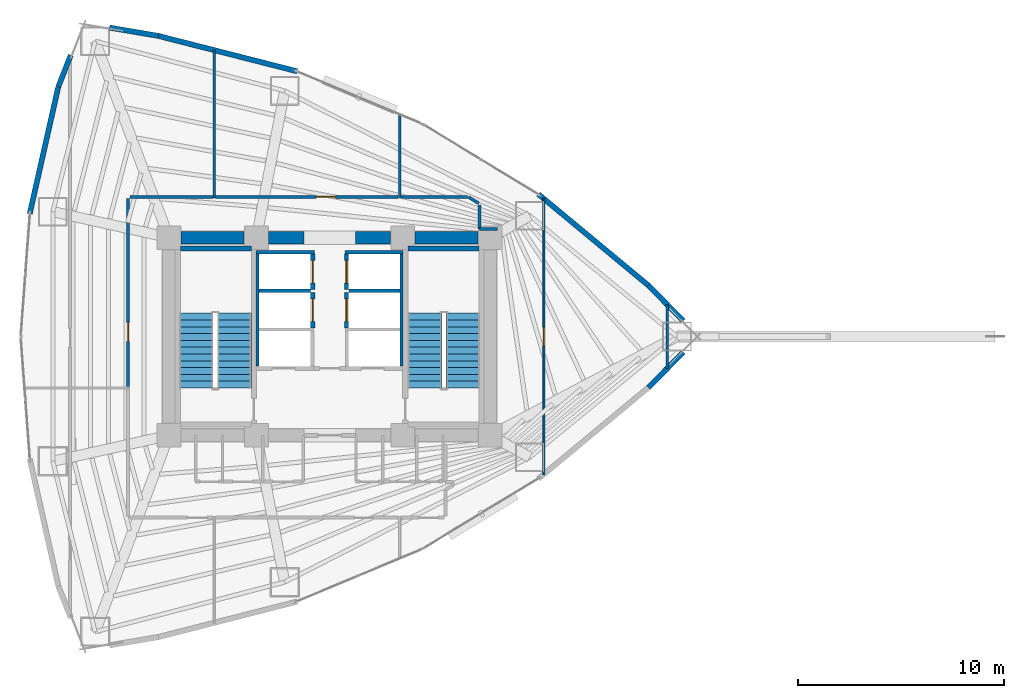
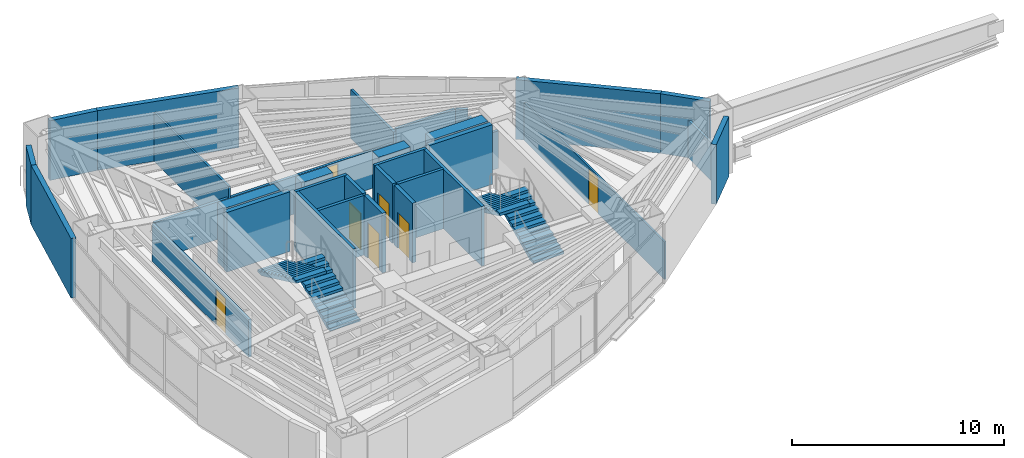
# One storey, part 15 of 18: 34 walls, 7 doors, 4 stair flights, 7 openings, 2 elements without a shape of their own.
"""IFC4 building model written with IfcOpenShell, lengths in metres."""

from ifc_helpers import new_model, si_unit, direction, frame, frame_2d, origin, place, context, subcontext, project, spatial, polyline, rectangle, outline, extrude, material, layer, layer_set, type_object, element, fill, aggregate, save


model = new_model("IFC4")

# Units and contexts
model_context = context("Model", 3, precision=1e-05, world=origin(), true_north=direction((0.0, 1.0)))
body_context = subcontext(model_context, "Body", "Model", "MODEL_VIEW")
ifc_project = project(units=[si_unit("LENGTHUNIT", "METRE"), si_unit("AREAUNIT", "SQUARE_METRE"), si_unit("VOLUMEUNIT", "CUBIC_METRE"), si_unit("PLANEANGLEUNIT", "RADIAN"), si_unit("MASSUNIT", "GRAM", prefix="KILO")], contexts=[model_context])

# Site, building, storey
site_placement = place(None, origin())
site = spatial("IfcSite", under=ifc_project, at=site_placement, CompositionType="ELEMENT")
building_placement = place(site_placement, origin())
building = spatial("IfcBuilding", under=site, at=building_placement, Name="Menara Vayukalpa", CompositionType="ELEMENT")
storey_placement = place(building_placement, frame((0.0, 0.0, 53.639892578125)))
storey = spatial("IfcBuildingStorey", under=building, at=storey_placement, Name="L12", CompositionType="ELEMENT", Elevation=53.639892578125)

# Walls
ifc_material_1 = material(Name="Concrete C70/85", Category="concrete")
ifc_layer_1 = layer(ifc_material_1, 0.60009765625)
ifc_layer_set_1 = layer_set([ifc_layer_1], Name="Concrete C70/85")
wall_type_1 = type_object("IfcWallType", Name="WAL-CW600", PredefinedType="SHEAR", material=ifc_layer_set_1)
wall_1_placement = place(storey_placement, frame((18.39501953125, 26.800048828125, 0.0), z_axis=(0.0, 0.0, 1.0), x_axis=(1.0, 0.0, 0.0)))
element("IfcWall", 1, at=wall_1_placement, inside=storey, type_object=wall_type_1, Name="L12 Buttressed Core Shear Wall CWN1", PredefinedType="SHEAR", context=body_context, shape_type="SweptSolid", body=[
    extrude(rectangle(XDim=3.06005859375, YDim=0.60009765625, at=frame_2d((1.530029296875, 0.0))), origin(), (0.0, 0.0, 1.0), 3.440185546875),
])
wall_2_placement = place(storey_placement, frame((22.64501953125, 26.800048828125, 0.0), z_axis=(0.0, 0.0, 1.0), x_axis=(1.0, 0.0, 0.0)))
element("IfcWall", 2, at=wall_2_placement, inside=storey, type_object=wall_type_1, Name="L12 Buttressed Core Shear Wall CWN2", PredefinedType="SHEAR", context=body_context, shape_type="SweptSolid", body=[
    extrude(rectangle(XDim=1.705078125, YDim=0.60009765625, at=frame_2d((0.8525390625, 0.0))), origin(), (0.0, 0.0, 1.0), 3.440185546875),
])
wall_3_placement = place(storey_placement, frame((26.85009765625, 26.800048828125, 0.0), z_axis=(0.0, 0.0, 1.0), x_axis=(1.0, 0.0, 0.0)))
element("IfcWall", 3, at=wall_3_placement, inside=storey, type_object=wall_type_1, Name="L12 Buttressed Core Shear Wall CWN3", PredefinedType="SHEAR", context=body_context, shape_type="SweptSolid", body=[
    extrude(rectangle(XDim=1.704833984375, YDim=0.60009765625, at=frame_2d((0.8525390625, 0.0))), origin(), (0.0, 0.0, 1.0), 3.440185546875),
])
wall_4_placement = place(storey_placement, frame((29.7451171875, 26.800048828125, 0.0), z_axis=(0.0, 0.0, 1.0), x_axis=(1.0, 0.0, 0.0)))
element("IfcWall", 4, at=wall_4_placement, inside=storey, type_object=wall_type_1, Name="L12 Buttressed Core Shear Wall CWN4", PredefinedType="SHEAR", context=body_context, shape_type="SweptSolid", body=[
    extrude(rectangle(XDim=3.059814453125, YDim=0.60009765625, at=frame_2d((1.52978515625, 0.0))), origin(), (0.0, 0.0, 1.0), 3.440185546875),
])
ifc_material_2 = material(Name="Insulated Precast Concrete C40/50", Category="concrete")
ifc_layer_2 = layer(ifc_material_2, 0.260009765625)
ifc_layer_set_2 = layer_set([ifc_layer_2], Name="Insulated Precast Concrete C40/50")
wall_type_2 = type_object("IfcWallType", Name="WAL-EXT260", PredefinedType="PARTITIONING", material=ifc_layer_set_2)
for number, where, z_axis, x_axis, name in (
    (5, (42.770263671875, 21.24169921875, 0.0), (0.0, 0.0, 1.0), (-0.70059851419, -0.713555689427, 0.0), "L12 Perimeter Terracotta Pier Wall 01"),
    (6, (41.08056640625, 24.479248046875, 0.0), (0.0, 0.0, 1.0), (0.70059851419, -0.713555689427, 0.0), "L12 Perimeter Terracotta Pier Wall 02"),
):
    element("IfcWall", number, at=place(storey_placement, frame(where, z_axis=z_axis, x_axis=x_axis)), inside=storey, type_object=wall_type_2, Name=name, PredefinedType="PARTITIONING", context=body_context, shape_type="SweptSolid", body=[
        extrude(rectangle(XDim=2.411865234375, YDim=0.260009765625, at=frame_2d((1.2060546875, 0.0))), origin(), (0.0, 0.0, 1.0), 3.440185546875),
    ])
for number, where, z_axis, x_axis, name in (
    (7, (35.732421875, 28.91357421875, 0.0), (0.0, 0.0, 1.0), (0.769754596928, -0.638339925517, 0.0), "L12 Perimeter Terracotta Pier Wall 03"),
    (8, (17.28173828125, 36.595703125, 0.0), (0.0, 0.0, 1.0), (0.968977974408, -0.247147092057, 0.0), "L12 Perimeter Terracotta Pier Wall 06"),
):
    element("IfcWall", number, at=place(storey_placement, frame(where, z_axis=z_axis, x_axis=x_axis)), inside=storey, type_object=wall_type_2, Name=name, PredefinedType="PARTITIONING", context=body_context, shape_type="SweptSolid", body=[
        extrude(rectangle(XDim=6.959228515625, YDim=0.260009765625, at=frame_2d((3.4794921875, 0.0))), origin(), (0.0, 0.0, 1.0), 3.440185546875),
    ])
wall_5_placement = place(storey_placement, frame((14.915283203125, 36.996826171875, 0.0), z_axis=(0.0, 0.0, 1.0), x_axis=(0.985905469923, -0.167303330437, 0.0)))
element("IfcWall", 9, at=wall_5_placement, inside=storey, type_object=wall_type_2, Name="L12 Perimeter Terracotta Pier Wall 07", PredefinedType="PARTITIONING", context=body_context, shape_type="SweptSolid", body=[
    extrude(rectangle(XDim=2.412109375, YDim=0.260009765625, at=frame_2d((1.2060546875, 0.0))), origin(), (0.0, 0.0, 1.0), 3.440185546875),
])
wall_6_placement = place(storey_placement, frame((12.427490234375, 34.119140625, 0.0), z_axis=(0.0, 0.0, 1.0), x_axis=(0.365666052462, 0.930746119023, 0.0)))
element("IfcWall", 10, at=wall_6_placement, inside=storey, type_object=wall_type_2, Name="L12 Perimeter Terracotta Pier Wall 08", PredefinedType="PARTITIONING", context=body_context, shape_type="SweptSolid", body=[
    extrude(rectangle(XDim=1.656494140625, YDim=0.260009765625, at=frame_2d((0.828125, 0.0))), origin(), (0.0, 0.0, 1.0), 3.440185546875),
])
wall_7_placement = place(storey_placement, frame((11.0400390625, 27.952392578125, 0.0), z_axis=(0.0, 0.0, 1.0), x_axis=(0.219502085231, 0.975612030768, 0.0)))
element("IfcWall", 11, at=wall_7_placement, inside=storey, type_object=wall_type_2, Name="L12 Perimeter Terracotta Pier Wall 09", PredefinedType="PARTITIONING", context=body_context, shape_type="SweptSolid", body=[
    extrude(rectangle(XDim=6.32080078125, YDim=0.260009765625, at=frame_2d((3.160400390625, 0.0))), origin(), (0.0, 0.0, 1.0), 3.440185546875),
])
ifc_material_3 = material(Name="Lightweight Concrete Blockwork C16/20", Category="masonry")
ifc_layer_3 = layer(ifc_material_3, 0.159912109375)
ifc_layer_set_3 = layer_set([ifc_layer_3], Name="Lightweight Concrete Blockwork C16/20")
wall_type_3 = type_object("IfcWallType", Name="WAL-FR150", PredefinedType="PARTITIONING", material=ifc_layer_set_3)
wall_8_placement = place(storey_placement, frame((22.10498046875, 20.56005859375, 0.0), z_axis=(0.0, 0.0, 1.0), x_axis=(0.0, 1.0, 0.0)))
element("IfcWall", 12, at=wall_8_placement, inside=storey, type_object=wall_type_3, Name="L12 Interior Partition IW-L12-SHW-WW", PredefinedType="PARTITIONING", context=body_context, shape_type="SweptSolid", body=[
    extrude(rectangle(XDim=5.449951171875, YDim=0.159912109375, at=frame_2d((2.72509765625, 0.0))), origin(), (0.0, 0.0, 1.0), 3.440185546875),
])
wall_9_placement = place(storey_placement, frame((22.179931640625, 24.215087890625, 0.0), z_axis=(0.0, 0.0, 1.0), x_axis=(1.0, 0.0, 0.0)))
element("IfcWall", 13, at=wall_9_placement, inside=storey, type_object=wall_type_3, Name="L12 Interior Partition IW-L12-SHM-W23", PredefinedType="PARTITIONING", context=body_context, shape_type="SweptSolid", body=[
    extrude(rectangle(XDim=2.489990234375, YDim=0.159912109375, at=frame_2d((1.2451171875, 0.0))), origin(), (0.0, 0.0, 1.0), 3.440185546875),
])
wall_10_placement = place(storey_placement, frame((22.030029296875, 26.0849609375, 0.0), z_axis=(0.0, 0.0, 1.0), x_axis=(1.0, 0.0, 0.0)))
element("IfcWall", 14, at=wall_10_placement, inside=storey, type_object=wall_type_3, Name="L12 Interior Partition IW-L12-SHM-W3N", PredefinedType="PARTITIONING", context=body_context, shape_type="SweptSolid", body=[
    extrude(rectangle(XDim=2.830078125, YDim=0.159912109375, at=frame_2d((1.4150390625, 0.0))), origin(), (0.0, 0.0, 1.0), 3.440185546875),
])
wall_11_placement = place(storey_placement, frame((29.094970703125, 20.56005859375, 0.0), z_axis=(0.0, 0.0, 1.0), x_axis=(0.0, 1.0, 0.0)))
element("IfcWall", 15, at=wall_11_placement, inside=storey, type_object=wall_type_3, Name="L12 Interior Partition IW-L12-SHW-EE", PredefinedType="PARTITIONING", context=body_context, shape_type="SweptSolid", body=[
    extrude(rectangle(XDim=5.449951171875, YDim=0.159912109375, at=frame_2d((2.72509765625, 0.0))), origin(), (0.0, 0.0, 1.0), 3.440185546875),
])
wall_12_placement = place(storey_placement, frame((26.530029296875, 24.215087890625, 0.0), z_axis=(0.0, 0.0, 1.0), x_axis=(1.0, 0.0, 0.0)))
element("IfcWall", 16, at=wall_12_placement, inside=storey, type_object=wall_type_3, Name="L12 Interior Partition IW-L12-SHM-E32", PredefinedType="PARTITIONING", context=body_context, shape_type="SweptSolid", body=[
    extrude(rectangle(XDim=2.489990234375, YDim=0.159912109375, at=frame_2d((1.2451171875, 0.0))), origin(), (0.0, 0.0, 1.0), 3.440185546875),
])
wall_13_placement = place(storey_placement, frame((26.340087890625, 26.0849609375, 0.0), z_axis=(0.0, 0.0, 1.0), x_axis=(1.0, 0.0, 0.0)))
element("IfcWall", 17, at=wall_13_placement, inside=storey, type_object=wall_type_3, Name="L12 Interior Partition IW-L12-SHM-E2N", PredefinedType="PARTITIONING", context=body_context, shape_type="SweptSolid", body=[
    extrude(rectangle(XDim=2.829833984375, YDim=0.159912109375, at=frame_2d((1.4150390625, 0.0))), origin(), (0.0, 0.0, 1.0), 3.440185546875),
])

# Wall, opening, door
ifc_material_4 = material(Name="Lightweight Concrete Blockwork C16/20", Category="masonry")
ifc_layer_4 = layer(ifc_material_4, 0.199951171875)
ifc_layer_set_4 = layer_set([ifc_layer_4], Name="Lightweight Concrete Blockwork C16/20")
wall_type_4 = type_object("IfcWallType", Name="WAL-FR200", PredefinedType="PARTITIONING", material=ifc_layer_set_4)
wall_14_placement = place(storey_placement, frame((24.780029296875, 22.419921875, 0.0), z_axis=(0.0, 0.0, 1.0), x_axis=(0.0, 1.0, 0.0)))
wall_14 = element("IfcWall", 18, at=wall_14_placement, inside=storey, type_object=wall_type_4, Name="L12 Interior Partition IW-L12-SH-W2", PredefinedType="PARTITIONING", context=body_context, shape_type="SweptSolid", body=[
    extrude(rectangle(XDim=1.719970703125, YDim=0.199951171875, at=frame_2d((0.85986328125, 0.0))), origin(), (0.0, 0.0, 1.0), 3.440185546875),
])
opening_1_placement = place(wall_14_placement, frame((0.31005859375, 0.0, 0.0)))
opening_1 = element("IfcOpeningElement", 19, at=opening_1_placement, cuts=wall_14, Name="Opening LD1", PredefinedType="OPENING", context=body_context, shape_type="SweptSolid", body=[
    extrude(rectangle(XDim=1.10009765625, YDim=2.080078125, at=frame_2d((0.550048828125, 1.0400390625))), frame((0.0, 0.10986328125, 0.0), z_axis=(0.0, -1.0, 0.0), x_axis=(1.0, 0.0, 0.0)), (0.0, 0.0, 1.0), 0.219970703125),
])
ifc_material_5 = material(Name="Brushed Stainless Steel 316 Lift Door", Category="steel")
door_type_1 = type_object("IfcDoorType", Name="DR-LD110", OperationType="NOTDEFINED", PredefinedType="DOOR", material=ifc_material_5)
door_1_placement = place(opening_1_placement, origin())
door_1 = element("IfcDoor", 20, at=door_1_placement, inside=storey, type_object=door_type_1, Name="L12 Interior Door DR-L12-LD-W2", OperationType="DOUBLE_DOOR_SLIDING", OverallHeight=2.080078125, OverallWidth=1.10009765625, PredefinedType="DOOR", context=body_context, shape_type="SweptSolid", body=[
    extrude(rectangle(XDim=1.10009765625, YDim=2.080078125, at=frame_2d((0.550048828125, 1.0400390625))), frame((0.0, 0.02490234375, 0.0), z_axis=(0.0, -1.0, 0.0), x_axis=(1.0, 0.0, 0.0)), (0.0, 0.0, 1.0), 0.050048828125),
])
fill(opening_1, door_1)

wall_15_placement = place(storey_placement, frame((24.780029296875, 24.2900390625, 0.0), z_axis=(0.0, 0.0, 1.0), x_axis=(0.0, 1.0, 0.0)))
wall_15 = element("IfcWall", 21, at=wall_15_placement, inside=storey, type_object=wall_type_4, Name="L12 Interior Partition IW-L12-SH-W3", PredefinedType="PARTITIONING", context=body_context, shape_type="SweptSolid", body=[
    extrude(rectangle(XDim=1.719970703125, YDim=0.199951171875, at=frame_2d((0.85986328125, 0.0))), origin(), (0.0, 0.0, 1.0), 3.440185546875),
])
opening_2_placement = place(wall_15_placement, frame((0.31005859375, 0.0, 0.0)))
opening_2 = element("IfcOpeningElement", 22, at=opening_2_placement, cuts=wall_15, Name="Opening LD1", PredefinedType="OPENING", context=body_context, shape_type="SweptSolid", body=[
    extrude(rectangle(XDim=1.10009765625, YDim=2.080078125, at=frame_2d((0.550048828125, 1.0400390625))), frame((0.0, 0.10986328125, 0.0), z_axis=(0.0, -1.0, 0.0), x_axis=(1.0, 0.0, 0.0)), (0.0, 0.0, 1.0), 0.219970703125),
])
door_2_placement = place(opening_2_placement, origin())
door_2 = element("IfcDoor", 23, at=door_2_placement, inside=storey, type_object=door_type_1, Name="L12 Interior Door DR-L12-LD-W3", OperationType="DOUBLE_DOOR_SLIDING", OverallHeight=2.080078125, OverallWidth=1.10009765625, PredefinedType="DOOR", context=body_context, shape_type="SweptSolid", body=[
    extrude(rectangle(XDim=1.10009765625, YDim=2.080078125, at=frame_2d((0.550048828125, 1.0400390625))), frame((0.0, 0.02490234375, 0.0), z_axis=(0.0, -1.0, 0.0), x_axis=(1.0, 0.0, 0.0)), (0.0, 0.0, 1.0), 0.050048828125),
])
fill(opening_2, door_2)

wall_16_placement = place(storey_placement, frame((26.419921875, 22.419921875, 0.0), z_axis=(0.0, 0.0, 1.0), x_axis=(0.0, 1.0, 0.0)))
wall_16 = element("IfcWall", 24, at=wall_16_placement, inside=storey, type_object=wall_type_4, Name="L12 Interior Partition IW-L12-SH-E3", PredefinedType="PARTITIONING", context=body_context, shape_type="SweptSolid", body=[
    extrude(rectangle(XDim=1.719970703125, YDim=0.199951171875, at=frame_2d((0.85986328125, 0.0))), origin(), (0.0, 0.0, 1.0), 3.440185546875),
])
opening_3_placement = place(wall_16_placement, frame((0.31005859375, 0.0, 0.0)))
opening_3 = element("IfcOpeningElement", 25, at=opening_3_placement, cuts=wall_16, Name="Opening LD1", PredefinedType="OPENING", context=body_context, shape_type="SweptSolid", body=[
    extrude(rectangle(XDim=1.10009765625, YDim=2.080078125, at=frame_2d((0.550048828125, 1.0400390625))), frame((0.0, 0.10986328125, 0.0), z_axis=(0.0, -1.0, 0.0), x_axis=(1.0, 0.0, 0.0)), (0.0, 0.0, 1.0), 0.219970703125),
])
door_3_placement = place(opening_3_placement, origin())
door_3 = element("IfcDoor", 26, at=door_3_placement, inside=storey, type_object=door_type_1, Name="L12 Interior Door DR-L12-LD-E3", OperationType="DOUBLE_DOOR_SLIDING", OverallHeight=2.080078125, OverallWidth=1.10009765625, PredefinedType="DOOR", context=body_context, shape_type="SweptSolid", body=[
    extrude(rectangle(XDim=1.10009765625, YDim=2.080078125, at=frame_2d((0.550048828125, 1.0400390625))), frame((0.0, 0.02490234375, 0.0), z_axis=(0.0, -1.0, 0.0), x_axis=(1.0, 0.0, 0.0)), (0.0, 0.0, 1.0), 0.050048828125),
])
fill(opening_3, door_3)

wall_17_placement = place(storey_placement, frame((26.419921875, 24.2900390625, 0.0), z_axis=(0.0, 0.0, 1.0), x_axis=(0.0, 1.0, 0.0)))
wall_17 = element("IfcWall", 27, at=wall_17_placement, inside=storey, type_object=wall_type_4, Name="L12 Interior Partition IW-L12-SH-E2", PredefinedType="PARTITIONING", context=body_context, shape_type="SweptSolid", body=[
    extrude(rectangle(XDim=1.719970703125, YDim=0.199951171875, at=frame_2d((0.85986328125, 0.0))), origin(), (0.0, 0.0, 1.0), 3.440185546875),
])
opening_4_placement = place(wall_17_placement, frame((0.31005859375, 0.0, 0.0)))
opening_4 = element("IfcOpeningElement", 28, at=opening_4_placement, cuts=wall_17, Name="Opening LD1", PredefinedType="OPENING", context=body_context, shape_type="SweptSolid", body=[
    extrude(rectangle(XDim=1.10009765625, YDim=2.080078125, at=frame_2d((0.550048828125, 1.0400390625))), frame((0.0, 0.10986328125, 0.0), z_axis=(0.0, -1.0, 0.0), x_axis=(1.0, 0.0, 0.0)), (0.0, 0.0, 1.0), 0.219970703125),
])
door_4_placement = place(opening_4_placement, origin())
door_4 = element("IfcDoor", 29, at=door_4_placement, inside=storey, type_object=door_type_1, Name="L12 Interior Door DR-L12-LD-E2", OperationType="DOUBLE_DOOR_SLIDING", OverallHeight=2.080078125, OverallWidth=1.10009765625, PredefinedType="DOOR", context=body_context, shape_type="SweptSolid", body=[
    extrude(rectangle(XDim=1.10009765625, YDim=2.080078125, at=frame_2d((0.550048828125, 1.0400390625))), frame((0.0, 0.02490234375, 0.0), z_axis=(0.0, -1.0, 0.0), x_axis=(1.0, 0.0, 0.0)), (0.0, 0.0, 1.0), 0.050048828125),
])
fill(opening_4, door_4)

ifc_material_6 = material(Name="Glazed Demountable Office Partition", Category="glass")
ifc_layer_5 = layer(ifc_material_6, 0.094970703125)
ifc_layer_set_5 = layer_set([ifc_layer_5], Name="Glazed Demountable Office Partition")
wall_type_5 = type_object("IfcWallType", Name="WAL-PT100", PredefinedType="PARTITIONING", material=ifc_layer_set_5)
wall_18_placement = place(storey_placement, frame((36.0, 15.295166015625, 0.0), z_axis=(0.0, 0.0, 1.0), x_axis=(0.0, 1.0, 0.0)))
wall_18 = element("IfcWall", 30, at=wall_18_placement, inside=storey, type_object=wall_type_5, Name="L12 Interior Partition IW-L12-RDIV06", PredefinedType="PARTITIONING", context=body_context, shape_type="SweptSolid", body=[
    extrude(rectangle(XDim=13.40966796875, YDim=0.094970703125, at=frame_2d((6.704833984375, 0.0))), origin(), (0.0, 0.0, 1.0), 2.170166015625),
])
opening_5_placement = place(wall_18_placement, frame((6.244873046875, 0.0, 0.0)))
opening_5 = element("IfcOpeningElement", 31, at=opening_5_placement, cuts=wall_18, Name="Opening ID6", PredefinedType="OPENING", context=body_context, shape_type="SweptSolid", body=[
    extrude(rectangle(XDim=0.919921875, YDim=2.050048828125, at=frame_2d((0.4599609375, 1.02490234375))), frame((0.0, 0.057373046875, 0.0), z_axis=(0.0, -1.0, 0.0), x_axis=(1.0, 0.0, 0.0)), (0.0, 0.0, 1.0), 0.114990234375),
])
ifc_material_7 = material(Name="Acoustic Hardwood Veneer Timber Door", Category="wood")
door_type_2 = type_object("IfcDoorType", Name="DR-INT92", OperationType="NOTDEFINED", PredefinedType="DOOR", material=ifc_material_7)
door_5_placement = place(opening_5_placement, origin())
door_5 = element("IfcDoor", 32, at=door_5_placement, inside=storey, type_object=door_type_2, Name="L12 Interior Door DR-L12-STE05", OperationType="SINGLE_SWING_RIGHT", OverallHeight=2.050048828125, OverallWidth=0.919921875, PredefinedType="DOOR", context=body_context, shape_type="SweptSolid", body=[
    extrude(rectangle(XDim=0.919921875, YDim=2.050048828125, at=frame_2d((0.4599609375, 1.02490234375))), frame((0.0, 0.02490234375, 0.0), z_axis=(0.0, -1.0, 0.0), x_axis=(1.0, 0.0, 0.0)), (0.0, 0.0, 1.0), 0.050048828125),
])
fill(opening_5, door_5)

# Walls
ifc_material_8 = material(Name="Acoustic Mineral Stud Partition", Category="masonry")
ifc_layer_6 = layer(ifc_material_8, 0.110107421875)
ifc_layer_set_6 = layer_set([ifc_layer_6], Name="Acoustic Mineral Stud Partition")
wall_type_6 = type_object("IfcWallType", Name="WAL-PT110", PredefinedType="PARTITIONING", material=ifc_layer_set_6)
wall_19_placement = place(storey_placement, frame((20.0, 28.72998046875, 0.0), z_axis=(0.0, 0.0, 1.0), x_axis=(0.0, 1.0, 0.0)))
element("IfcWall", 33, at=wall_19_placement, inside=storey, type_object=wall_type_6, Name="L12 Interior Partition IW-L12-RDIV03", PredefinedType="PARTITIONING", context=body_context, shape_type="SweptSolid", body=[
    extrude(rectangle(XDim=7.1826171875, YDim=0.110107421875, at=frame_2d((3.59130859375, 0.0))), origin(), (0.0, 0.0, 1.0), 2.820068359375),
])
ifc_material_9 = material(Name="Gypsum Drywall Steel Stud Assembly", Category="steel")
ifc_layer_7 = layer(ifc_material_9, 0.125)
ifc_layer_set_7 = layer_set([ifc_layer_7], Name="Gypsum Drywall Steel Stud Assembly")
wall_type_7 = type_object("IfcWallType", Name="WAL-PT125", PredefinedType="PARTITIONING", material=ifc_layer_set_7)
wall_20_placement = place(storey_placement, frame((29.0, 28.72998046875, 0.0), z_axis=(0.0, 0.0, 1.0), x_axis=(0.0, 1.0, 0.0)))
element("IfcWall", 34, at=wall_20_placement, inside=storey, type_object=wall_type_7, Name="L12 Interior Partition IW-L12-RDIV05", PredefinedType="PARTITIONING", context=body_context, shape_type="SweptSolid", body=[
    extrude(rectangle(XDim=4.058349609375, YDim=0.125, at=frame_2d((2.029296875, 0.0))), origin(), (0.0, 0.0, 1.0), 2.820068359375),
])
wall_21_placement = place(storey_placement, frame((42.0, 20.44287109375, 0.0), z_axis=(0.0, 0.0, 1.0), x_axis=(0.0, 1.0, 0.0)))
element("IfcWall", 35, at=wall_21_placement, inside=storey, type_object=wall_type_7, Name="L12 Interior Partition IW-L12-RDIV07", PredefinedType="PARTITIONING", context=body_context, shape_type="SweptSolid", body=[
    extrude(rectangle(XDim=3.1142578125, YDim=0.125, at=frame_2d((1.55712890625, 0.0))), origin(), (0.0, 0.0, 1.0), 2.170166015625),
])
ifc_material_10 = material(Name="Gypsum Drywall Acoustic Stud Assembly", Category="masonry")
ifc_layer_8 = layer(ifc_material_10, 0.14501953125)
ifc_layer_set_8 = layer_set([ifc_layer_8], Name="Gypsum Drywall Acoustic Stud Assembly")
wall_type_8 = type_object("IfcWallType", Name="WAL-PT150", PredefinedType="PARTITIONING", material=ifc_layer_set_8)
wall_22_placement = place(storey_placement, frame((33.739990234375, 27.219970703125, 0.0), z_axis=(0.0, 0.0, 1.0), x_axis=(-1.0, 0.0, 0.0)))
element("IfcWall", 36, at=wall_22_placement, inside=storey, type_object=wall_type_8, Name="L12 Interior Partition IW-L12-CRM06-6", PredefinedType="PARTITIONING", context=body_context, shape_type="SweptSolid", body=[
    extrude(rectangle(XDim=0.860107421875, YDim=0.14501953125, at=frame_2d((0.43017578125, 0.0))), origin(), (0.0, 0.0, 1.0), 2.170166015625),
])
wall_23_placement = place(storey_placement, frame((32.8798828125, 27.219970703125, 0.0), z_axis=(0.0, 0.0, 1.0), x_axis=(0.0, 1.0, 0.0)))
element("IfcWall", 37, at=wall_23_placement, inside=storey, type_object=wall_type_8, Name="L12 Interior Partition IW-L12-CRM06-7", PredefinedType="PARTITIONING", context=body_context, shape_type="SweptSolid", body=[
    extrude(rectangle(XDim=1.1748046875, YDim=0.14501953125, at=frame_2d((0.58740234375, 0.0))), origin(), (0.0, 0.0, 1.0), 2.570068359375),
])
wall_24_placement = place(storey_placement, frame((32.841552734375, 28.463134765625, 0.0), z_axis=(0.0, 0.0, 1.0), x_axis=(-0.854807247113, 0.518945633264, 0.0)))
element("IfcWall", 38, at=wall_24_placement, inside=storey, type_object=wall_type_8, Name="L12 Interior Partition IW-L12-CRM06-8", PredefinedType="PARTITIONING", context=body_context, shape_type="SweptSolid", body=[
    extrude(rectangle(XDim=0.588134765625, YDim=0.14501953125, at=frame_2d((0.2939453125, 0.0))), origin(), (0.0, 0.0, 1.0), 2.97021484375),
])
wall_25_placement = place(storey_placement, frame((32.29736328125, 28.780029296875, 0.0), z_axis=(0.0, 0.0, 1.0), x_axis=(-1.0, 0.0, 0.0)))
element("IfcWall", 39, at=wall_25_placement, inside=storey, type_object=wall_type_8, Name="L12 Interior Partition IW-L12-CRM06-9", PredefinedType="PARTITIONING", context=body_context, shape_type="SweptSolid", body=[
    extrude(rectangle(XDim=3.227294921875, YDim=0.14501953125, at=frame_2d((1.61376953125, 0.0))), origin(), (0.0, 0.0, 1.0), 2.97021484375),
])

# Wall, opening, door
wall_26_placement = place(storey_placement, frame((28.929931640625, 28.780029296875, 0.0), z_axis=(0.0, 0.0, 1.0), x_axis=(-1.0, 0.0, 0.0)))
wall_26 = element("IfcWall", 40, at=wall_26_placement, inside=storey, type_object=wall_type_8, Name="L12 Interior Partition IW-L12-CRM07-1", PredefinedType="PARTITIONING", context=body_context, shape_type="SweptSolid", body=[
    extrude(rectangle(XDim=8.85986328125, YDim=0.14501953125, at=frame_2d((4.429931640625, 0.0))), origin(), (0.0, 0.0, 1.0), 2.170166015625),
])
opening_6_placement = place(wall_26_placement, frame((3.0361328125, 0.0, 0.0)))
opening_6 = element("IfcOpeningElement", 41, at=opening_6_placement, cuts=wall_26, Name="Opening ID5", PredefinedType="OPENING", context=body_context, shape_type="SweptSolid", body=[
    extrude(rectangle(XDim=0.949951171875, YDim=2.06005859375, at=frame_2d((0.47509765625, 1.030029296875))), frame((0.0, 0.08251953125, 0.0), z_axis=(0.0, -1.0, 0.0), x_axis=(1.0, 0.0, 0.0)), (0.0, 0.0, 1.0), 0.1650390625),
])
ifc_material_11 = material(Name="Acoustic Hardwood Veneer Timber Door", Category="wood")
door_type_3 = type_object("IfcDoorType", Name="DR-INT95", OperationType="NOTDEFINED", PredefinedType="DOOR", material=ifc_material_11)
door_6_placement = place(opening_6_placement, origin())
door_6 = element("IfcDoor", 42, at=door_6_placement, inside=storey, type_object=door_type_3, Name="L12 Interior Door DR-L12-RM07", OperationType="SINGLE_SWING_RIGHT", OverallHeight=2.06005859375, OverallWidth=0.949951171875, PredefinedType="DOOR", context=body_context, shape_type="SweptSolid", body=[
    extrude(rectangle(XDim=0.949951171875, YDim=2.06005859375, at=frame_2d((0.47509765625, 1.030029296875))), frame((0.0, 0.02490234375, 0.0), z_axis=(0.0, -1.0, 0.0), x_axis=(1.0, 0.0, 0.0)), (0.0, 0.0, 1.0), 0.050048828125),
])
fill(opening_6, door_6)

# Wall
wall_27_placement = place(storey_placement, frame((19.929931640625, 28.780029296875, 0.0), z_axis=(0.0, 0.0, 1.0), x_axis=(-1.0, 0.0, 0.0)))
element("IfcWall", 43, at=wall_27_placement, inside=storey, type_object=wall_type_8, Name="L12 Interior Partition IW-L12-CRM08-1", PredefinedType="PARTITIONING", context=body_context, shape_type="SweptSolid", body=[
    extrude(rectangle(XDim=4.030029296875, YDim=0.14501953125, at=frame_2d((2.01513671875, 0.0))), origin(), (0.0, 0.0, 1.0), 2.170166015625),
])

# Wall, opening, door
wall_28_placement = place(storey_placement, frame((15.820068359375, 28.699951171875, 0.0), z_axis=(0.0, 0.0, 1.0), x_axis=(0.0, -1.0, 0.0)))
wall_28 = element("IfcWall", 44, at=wall_28_placement, inside=storey, type_object=wall_type_8, Name="L12 Interior Partition IW-L12-CRM08-2", PredefinedType="PARTITIONING", context=body_context, shape_type="SweptSolid", body=[
    extrude(rectangle(XDim=9.1298828125, YDim=0.14501953125, at=frame_2d((4.56494140625, 0.0))), origin(), (0.0, 0.0, 1.0), 2.170166015625),
])
opening_7_placement = place(wall_28_placement, frame((6.017578125, 0.0, 0.0)))
opening_7 = element("IfcOpeningElement", 45, at=opening_7_placement, cuts=wall_28, Name="Opening ID6", PredefinedType="OPENING", context=body_context, shape_type="SweptSolid", body=[
    extrude(rectangle(XDim=0.919921875, YDim=2.050048828125, at=frame_2d((0.4599609375, 1.02490234375))), frame((0.0, 0.08251953125, 0.0), z_axis=(0.0, -1.0, 0.0), x_axis=(1.0, 0.0, 0.0)), (0.0, 0.0, 1.0), 0.1650390625),
])
door_7_placement = place(opening_7_placement, origin())
door_7 = element("IfcDoor", 46, at=door_7_placement, inside=storey, type_object=door_type_2, Name="L12 Interior Door DR-L12-RM08", OperationType="SINGLE_SWING_LEFT", OverallHeight=2.050048828125, OverallWidth=0.919921875, PredefinedType="DOOR", context=body_context, shape_type="SweptSolid", body=[
    extrude(rectangle(XDim=0.919921875, YDim=2.050048828125, at=frame_2d((0.4599609375, 1.02490234375))), frame((0.0, 0.02490234375, 0.0), z_axis=(0.0, -1.0, 0.0), x_axis=(1.0, 0.0, 0.0)), (0.0, 0.0, 1.0), 0.050048828125),
])
fill(opening_7, door_7)

# Walls
ifc_material_12 = material(Name="Concrete C50/60", Category="concrete")
ifc_layer_9 = layer(ifc_material_12, 0.25)
ifc_layer_set_9 = layer_set([ifc_layer_9], Name="Concrete C50/60")
wall_type_9 = type_object("IfcWallType", Name="WAL-SW250", PredefinedType="SHEAR", material=ifc_layer_set_9)
for number, where, z_axis, x_axis, name in (
    (47, (18.35400390625, 26.27490234375, 0.0), (0.0, 0.0, 1.0), (1.0, 0.0, 0.0), "L12 ST1 Structural Stair Shaft Wall N"),
    (48, (29.39990234375, 26.27490234375, 0.0), (0.0, 0.0, 1.0), (1.0, 0.0, 0.0), "L12 ST2 Structural Stair Shaft Wall N"),
):
    element("IfcWall", number, at=place(storey_placement, frame(where, z_axis=z_axis, x_axis=x_axis)), inside=storey, type_object=wall_type_9, Name=name, PredefinedType="SHEAR", context=body_context, shape_type="SweptSolid", body=[
        extrude(rectangle(XDim=3.446044921875, YDim=0.25, at=frame_2d((1.72314453125, 0.0))), origin(), (0.0, 0.0, 1.0), 3.440185546875),
    ])

# Stair, stair flights
ifc_material_13 = material(Name="Precast Concrete C40/50", Category="concrete")
stair_type = type_object("IfcStairType", Name="STR-T04", PredefinedType="DOUBLE_RETURN_STAIR", material=ifc_material_13)
stair_1_placement = place(storey_placement, origin())
stair_1 = element("IfcStair", 49, at=stair_1_placement, inside=storey, type_object=stair_type, Name="L12 Core Exit Stair ST-1", PredefinedType="DOUBLE_RETURN_STAIR")
ifc_material_14 = material(Name="Precast Concrete C40/50", Category="concrete")
stair_flight_type = type_object("IfcStairFlightType", Name="STF-T04", PredefinedType="STRAIGHT", material=ifc_material_14)
stair_flight_1_placement = place(storey_placement, frame((20.97509765625, 19.5, 0.0), z_axis=(0.0, 0.0, 1.0), x_axis=(0.0, 1.0, 0.0)))
stair_flight_1 = element("IfcStairFlight", 50, at=stair_flight_1_placement, type_object=stair_flight_type, Name="ST-1 flight 1", NumberOfRisers=12, NumberOfTreads=11, PredefinedType="STRAIGHT", RiserHeight=0.155, TreadLength=0.33, context=body_context, shape_type="SweptSolid", body=[
    extrude(outline(polyline([(0.0, 0.0), (0.0, 0.155029296875), (0.330078125, 0.155029296875), (0.330078125, 0.31005859375), (0.659912109375, 0.31005859375), (0.659912109375, 0.465087890625), (0.989990234375, 0.465087890625), (0.989990234375, 0.6201171875), (1.320068359375, 0.6201171875), (1.320068359375, 0.77490234375), (1.64990234375, 0.77490234375), (1.64990234375, 0.929931640625), (1.97998046875, 0.929931640625), (1.97998046875, 1.0849609375), (2.31005859375, 1.0849609375), (2.31005859375, 1.239990234375), (2.639892578125, 1.239990234375), (2.639892578125, 1.39501953125), (2.969970703125, 1.39501953125), (2.969970703125, 1.550048828125), (3.300048828125, 1.550048828125), (3.300048828125, 1.705078125), (3.6298828125, 1.705078125), (3.6298828125, 1.860107421875), (3.6298828125, 1.539306640625), (0.3525390625, 0.0), (0.0, 0.0)])), frame((0.0, 0.824951171875, 0.0), z_axis=(0.0, -1.0, 0.0), x_axis=(1.0, 0.0, 0.0)), (0.0, 0.0, 1.0), 1.64990234375),
])
stair_flight_2_placement = place(storey_placement, frame((19.125, 23.1298828125, 1.860107421875), z_axis=(0.0, 0.0, 1.0), x_axis=(0.0, -1.0, 0.0)))
stair_flight_2 = element("IfcStairFlight", 51, at=stair_flight_2_placement, type_object=stair_flight_type, Name="ST-1 flight 2", NumberOfRisers=12, NumberOfTreads=11, PredefinedType="STRAIGHT", RiserHeight=0.155, TreadLength=0.33, context=body_context, shape_type="SweptSolid", body=[
    extrude(outline(polyline([(0.0, 0.0), (0.0, 0.155029296875), (0.330078125, 0.155029296875), (0.330078125, 0.31005859375), (0.659912109375, 0.31005859375), (0.659912109375, 0.465087890625), (0.989990234375, 0.465087890625), (0.989990234375, 0.6201171875), (1.320068359375, 0.6201171875), (1.320068359375, 0.77490234375), (1.64990234375, 0.77490234375), (1.64990234375, 0.929931640625), (1.97998046875, 0.929931640625), (1.97998046875, 1.0849609375), (2.31005859375, 1.0849609375), (2.31005859375, 1.239990234375), (2.639892578125, 1.239990234375), (2.639892578125, 1.39501953125), (2.969970703125, 1.39501953125), (2.969970703125, 1.550048828125), (3.300048828125, 1.550048828125), (3.300048828125, 1.705078125), (3.6298828125, 1.705078125), (3.6298828125, 1.860107421875), (3.6298828125, 1.539306640625), (0.3525390625, 0.0), (0.0, 0.0)])), frame((0.0, 0.824951171875, 0.0), z_axis=(0.0, -1.0, 0.0), x_axis=(1.0, 0.0, 0.0)), (0.0, 0.0, 1.0), 1.64990234375),
])
aggregate(stair_1, [stair_flight_1, stair_flight_2])

stair_2_placement = place(storey_placement, origin())
stair_2 = element("IfcStair", 52, at=stair_2_placement, inside=storey, type_object=stair_type, Name="L12 Core Exit Stair ST-2", PredefinedType="DOUBLE_RETURN_STAIR")
stair_flight_3_placement = place(storey_placement, frame((32.074951171875, 19.5, 0.0), z_axis=(0.0, 0.0, 1.0), x_axis=(0.0, 1.0, 0.0)))
stair_flight_3 = element("IfcStairFlight", 53, at=stair_flight_3_placement, type_object=stair_flight_type, Name="ST-2 flight 1", NumberOfRisers=12, NumberOfTreads=11, PredefinedType="STRAIGHT", RiserHeight=0.155, TreadLength=0.33, context=body_context, shape_type="SweptSolid", body=[
    extrude(outline(polyline([(0.0, 0.0), (0.0, 0.155029296875), (0.330078125, 0.155029296875), (0.330078125, 0.31005859375), (0.659912109375, 0.31005859375), (0.659912109375, 0.465087890625), (0.989990234375, 0.465087890625), (0.989990234375, 0.6201171875), (1.320068359375, 0.6201171875), (1.320068359375, 0.77490234375), (1.64990234375, 0.77490234375), (1.64990234375, 0.929931640625), (1.97998046875, 0.929931640625), (1.97998046875, 1.0849609375), (2.31005859375, 1.0849609375), (2.31005859375, 1.239990234375), (2.639892578125, 1.239990234375), (2.639892578125, 1.39501953125), (2.969970703125, 1.39501953125), (2.969970703125, 1.550048828125), (3.300048828125, 1.550048828125), (3.300048828125, 1.705078125), (3.6298828125, 1.705078125), (3.6298828125, 1.860107421875), (3.6298828125, 1.539306640625), (0.3525390625, 0.0), (0.0, 0.0)])), frame((0.0, 0.824951171875, 0.0), z_axis=(0.0, -1.0, 0.0), x_axis=(1.0, 0.0, 0.0)), (0.0, 0.0, 1.0), 1.64990234375),
])
stair_flight_4_placement = place(storey_placement, frame((30.22509765625, 23.1298828125, 1.860107421875), z_axis=(0.0, 0.0, 1.0), x_axis=(0.0, -1.0, 0.0)))
stair_flight_4 = element("IfcStairFlight", 54, at=stair_flight_4_placement, type_object=stair_flight_type, Name="ST-2 flight 2", NumberOfRisers=12, NumberOfTreads=11, PredefinedType="STRAIGHT", RiserHeight=0.155, TreadLength=0.33, context=body_context, shape_type="SweptSolid", body=[
    extrude(outline(polyline([(0.0, 0.0), (0.0, 0.155029296875), (0.330078125, 0.155029296875), (0.330078125, 0.31005859375), (0.659912109375, 0.31005859375), (0.659912109375, 0.465087890625), (0.989990234375, 0.465087890625), (0.989990234375, 0.6201171875), (1.320068359375, 0.6201171875), (1.320068359375, 0.77490234375), (1.64990234375, 0.77490234375), (1.64990234375, 0.929931640625), (1.97998046875, 0.929931640625), (1.97998046875, 1.0849609375), (2.31005859375, 1.0849609375), (2.31005859375, 1.239990234375), (2.639892578125, 1.239990234375), (2.639892578125, 1.39501953125), (2.969970703125, 1.39501953125), (2.969970703125, 1.550048828125), (3.300048828125, 1.550048828125), (3.300048828125, 1.705078125), (3.6298828125, 1.705078125), (3.6298828125, 1.860107421875), (3.6298828125, 1.539306640625), (0.3525390625, 0.0), (0.0, 0.0)])), frame((0.0, 0.824951171875, 0.0), z_axis=(0.0, -1.0, 0.0), x_axis=(1.0, 0.0, 0.0)), (0.0, 0.0, 1.0), 1.64990234375),
])
aggregate(stair_2, [stair_flight_3, stair_flight_4])

save(model, "model.ifc")
